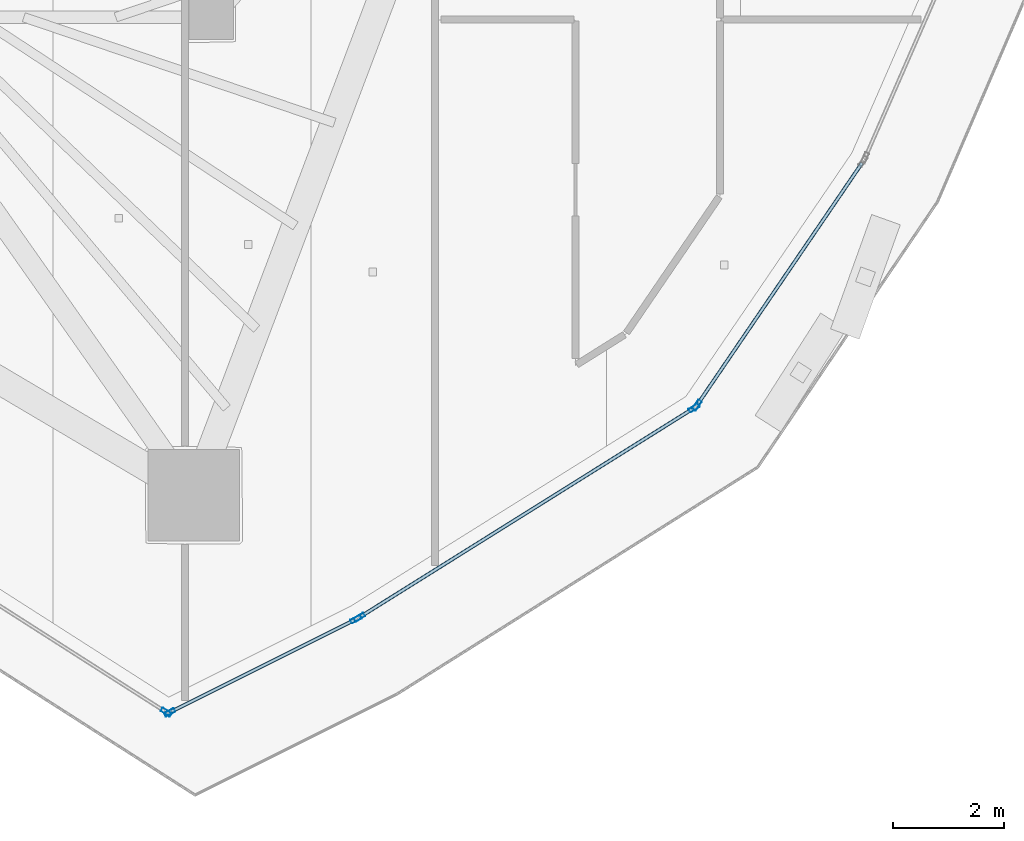
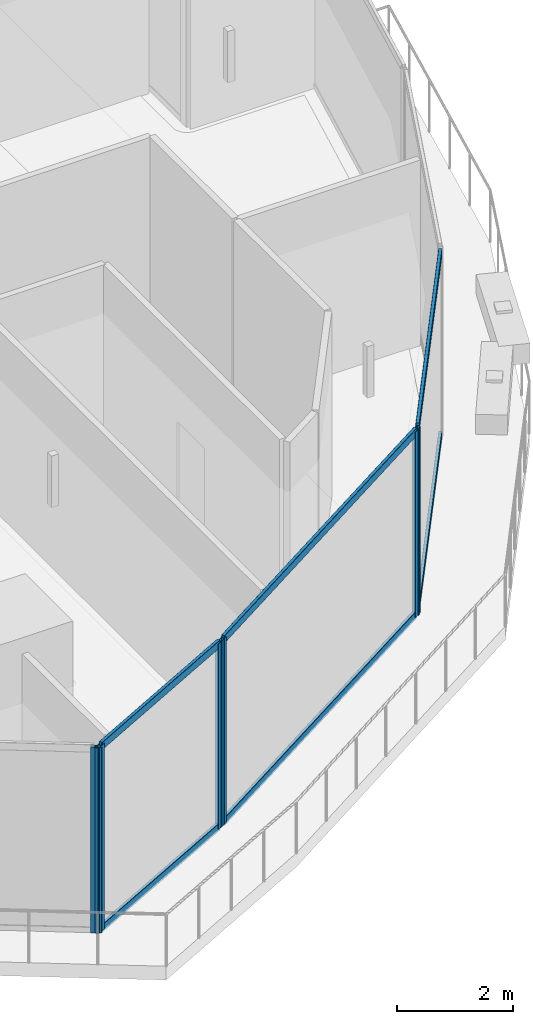
# One storey, part 10 of 36: 12 members, 4 elements without a shape of their own.
"""IFC4 building model written with IfcOpenShell, lengths in metres."""

import ifcopenshell
import ifcopenshell.guid

model = None  # the IFC model being written
_history = None  # IfcOwnerHistory: only IFC2X3 demands one
_inside = {}  # id of a spatial element -> (the spatial element, [elements in it])
_under = {}  # id of a project, library or spatial element -> (it, [spatial elements below it])
_declared = {}  # id of a project -> (the project, [libraries it declares])
_typed = {}  # id of a type object -> (the type object, [elements of that type])
_made_of = {}  # id of a material, layer set ... -> (it, [elements and type objects made of it])


def new_model(schema):
    """Start an empty IFC model of exactly this schema.

    Asked for "IFC4X3", IfcOpenShell would pick the latest addendum, in which some entities
    have other attributes; the version numbers below select the first issue.
    IFC2X3 requires an IfcOwnerHistory on every rooted entity: one is made here for all.
    """
    global model, _history
    if schema == "IFC4X3":
        model = ifcopenshell.file(schema_version=(4, 3, 0, 0))
    else:
        model = ifcopenshell.file(schema=schema)
    _inside.clear()
    _under.clear()
    _declared.clear()
    _typed.clear()
    _made_of.clear()
    _history = None
    if model.schema == "IFC2X3":
        org = make("IfcOrganization", Name="unknown")
        user = make(
            "IfcPersonAndOrganization",
            ThePerson=make("IfcPerson", FamilyName="unknown"),
            TheOrganization=org,
        )
        app = make(
            "IfcApplication",
            ApplicationDeveloper=org,
            Version="unknown",
            ApplicationFullName="unknown",
            ApplicationIdentifier="unknown",
        )
        _history = make(
            "IfcOwnerHistory",
            OwningUser=user,
            OwningApplication=app,
            ChangeAction="ADDED",
            CreationDate=0,
        )
    return model


def make(cls, **values):
    """One entity of the class cls with the attributes given. An attribute that is None is left unset."""
    return model.create_entity(
        cls, **{name: value for name, value in values.items() if value is not None}
    )


def rooted(cls, **values):
    """An entity with a GlobalId (a new one), such as an element, a storey or a relation."""
    return make(cls, GlobalId=ifcopenshell.guid.new(), OwnerHistory=_history, **values)


def si_unit(unit_type, name, prefix=None):
    """IfcSIUnit, for example si_unit("LENGTHUNIT", "METRE", prefix="MILLI")."""
    return make("IfcSIUnit", UnitType=unit_type, Prefix=prefix, Name=name)


def assignment(units):
    """IfcUnitAssignment: the units of a project."""
    return None if units is None else make("IfcUnitAssignment", Units=units)


def point(xyz):
    """IfcCartesianPoint."""
    return None if xyz is None else make("IfcCartesianPoint", Coordinates=xyz)


def direction(xyz):
    """IfcDirection."""
    return None if xyz is None else make("IfcDirection", DirectionRatios=xyz)


def frame(location, z_axis=None, x_axis=None):
    """IfcAxis2Placement3D, a coordinate frame: its origin and axes. An axis left out is left unset."""
    return make(
        "IfcAxis2Placement3D",
        Location=point(location),
        Axis=direction(z_axis),
        RefDirection=direction(x_axis),
    )


def frame_2d(location, x_axis=None):
    """IfcAxis2Placement2D, a coordinate frame in the plane: its origin and x axis."""
    return make(
        "IfcAxis2Placement2D", Location=point(location), RefDirection=direction(x_axis)
    )


def origin():
    """The frame at (0, 0, 0) with its axes left unset."""
    return frame((0.0, 0.0, 0.0))


def origin_2d():
    """The frame at (0, 0) in the plane with its x axis left unset."""
    return frame_2d((0.0, 0.0))


def place(relative_to, where):
    """IfcLocalPlacement: puts the frame where relative to a parent placement (None: the world)."""
    return make(
        "IfcLocalPlacement", PlacementRelTo=relative_to, RelativePlacement=where
    )


def context(
    kind, dimensions, precision=None, world=None, true_north=None, identifier=None
):
    """IfcGeometricRepresentationContext, for example the 3D "Model" context."""
    return make(
        "IfcGeometricRepresentationContext",
        ContextIdentifier=identifier,
        ContextType=kind,
        CoordinateSpaceDimension=dimensions,
        Precision=precision,
        WorldCoordinateSystem=world,
        TrueNorth=true_north,
    )


def subcontext(parent, identifier, kind, view, scale=None):
    """IfcGeometricRepresentationSubContext, for example "Body" below "Model"."""
    return make(
        "IfcGeometricRepresentationSubContext",
        ContextIdentifier=identifier,
        ContextType=kind,
        ParentContext=parent,
        TargetScale=scale,
        TargetView=view,
    )


def project(units=None, contexts=None):
    """IfcProject with its units and contexts."""
    return rooted(
        "IfcProject",
        Name="project",
        RepresentationContexts=contexts,
        UnitsInContext=assignment(units),
    )


def spatial(cls, under=None, at=None, **own):
    """A site, building, storey or space (cls), placed at a placement, below another one or the project."""
    s = rooted(cls, ObjectPlacement=at, **own)
    if under is not None:
        _under.setdefault(under.id(), (under, []))[1].append(s)
    return s


def profile(cls, at=None, kind="AREA", **sizes):
    """A parametric profile (cls). Its sizes go by their IFC names, for example OverallWidth=200.0."""
    return make(cls, ProfileType=kind, Position=at, **sizes)


def hollow_rectangle(**sizes):
    """IfcRectangleHollowProfileDef."""
    return profile("IfcRectangleHollowProfileDef", **sizes)


def extrude(swept, where, along, depth):
    """IfcExtrudedAreaSolid: the profile swept, set in the frame where, extruded along a direction by depth."""
    return make(
        "IfcExtrudedAreaSolid",
        SweptArea=swept,
        Position=where,
        ExtrudedDirection=direction(along),
        Depth=depth,
    )


def shape(context_of_items, identifier, shape_type, items):
    """IfcShapeRepresentation: the items that make up one representation, for example the "Body"."""
    return make(
        "IfcShapeRepresentation",
        ContextOfItems=context_of_items,
        RepresentationIdentifier=identifier,
        RepresentationType=shape_type,
        Items=items,
    )


def material(Name=None, Category=None):
    """IfcMaterial."""
    return make("IfcMaterial", Name=Name, Category=Category)


def layer(
    of_material, thickness, ventilated=None, Name=None, Category=None, Priority=None
):
    """IfcMaterialLayer: one layer of a wall or slab, of a material (None: an air gap)."""
    return make(
        "IfcMaterialLayer",
        Material=of_material,
        LayerThickness=thickness,
        IsVentilated=ventilated,
        Name=Name,
        Category=Category,
        Priority=Priority,
    )


def layer_set(layers, Name=None):
    """IfcMaterialLayerSet."""
    return make("IfcMaterialLayerSet", MaterialLayers=layers, LayerSetName=Name)


def material_profile(
    of_material, cross_section, Name=None, Category=None, Priority=None
):
    """IfcMaterialProfile: a cross section and its material."""
    return make(
        "IfcMaterialProfile",
        Name=Name,
        Material=of_material,
        Profile=cross_section,
        Priority=Priority,
        Category=Category,
    )


def profile_set(profiles, Name=None, composite=None):
    """IfcMaterialProfileSet."""
    return make(
        "IfcMaterialProfileSet",
        Name=Name,
        MaterialProfiles=profiles,
        CompositeProfile=composite,
    )


def made_of(thing, what):
    """Note that an element or type object is made of a material, layer set ...; save() writes the relation."""
    if what is not None:
        _made_of.setdefault(what.id(), (what, []))[1].append(thing)
    return thing


def type_object(cls, material=None, **own):
    """A type object (cls), such as IfcWallType, which elements share."""
    return made_of(rooted(cls, **own), material)


def element(
    cls,
    number,
    at=None,
    inside=None,
    cuts=None,
    type_object=None,
    material=None,
    context=None,
    identifier="Body",
    shape_type=None,
    held_by="IfcProductDefinitionShape",
    body=None,
    shapes=None,
    **own,
):
    """One element of the class cls, such as IfcWall. Its Tag is "e" and its number.

    at: its placement. inside: the storey or other place that contains it. cuts: it is an
    opening in that element (IfcRelVoidsElement). A single representation is given by context,
    identifier, shape_type and body (its items); several are given by shapes. held_by: the class
    of the entity that holds the representations. save() writes the other relations.
    """
    e = rooted(cls, Tag="e%d" % number, ObjectPlacement=at, **own)
    if body is not None:
        shapes = [shape(context, identifier, shape_type, body)]
    if shapes is not None:
        e.Representation = make(held_by, Representations=shapes)
    if inside is not None:
        _inside.setdefault(inside.id(), (inside, []))[1].append(e)
    if cuts is not None:
        rooted(
            "IfcRelVoidsElement", RelatingBuildingElement=cuts, RelatedOpeningElement=e
        )
    if type_object is not None:
        _typed.setdefault(type_object.id(), (type_object, []))[1].append(e)
    return made_of(e, material)


def aggregate(whole, parts):
    """IfcRelAggregates: a whole, such as a stair, and the parts it consists of."""
    return rooted("IfcRelAggregates", RelatingObject=whole, RelatedObjects=parts)


def save(model, path):
    """Write the relations noted so far, then the file.

    IfcRelAggregates (storeys below a building ...), IfcRelContainedInSpatialStructure (elements
    in a storey), IfcRelDefinesByType, IfcRelAssociatesMaterial and IfcRelDeclares: one each for
    every whole, place, type object, material and project.
    """
    for whole, parts in _under.values():
        aggregate(whole, parts)
    for where, things in _inside.values():
        rooted(
            "IfcRelContainedInSpatialStructure",
            RelatedElements=things,
            RelatingStructure=where,
        )
    for kind, things in _typed.values():
        rooted("IfcRelDefinesByType", RelatedObjects=things, RelatingType=kind)
    for what, things in _made_of.values():
        rooted("IfcRelAssociatesMaterial", RelatedObjects=things, RelatingMaterial=what)
    for by, libraries in _declared.values():
        rooted("IfcRelDeclares", RelatingContext=by, RelatedDefinitions=libraries)
    model.write(path)


model = new_model("IFC4")

# Units and contexts
model_context = context("Model", 3, precision=1e-05, world=origin(), true_north=direction((0.0, 1.0)))
body_context = subcontext(model_context, "Body", "Model", "MODEL_VIEW")
ifc_project = project(units=[si_unit("LENGTHUNIT", "METRE"), si_unit("AREAUNIT", "SQUARE_METRE"), si_unit("VOLUMEUNIT", "CUBIC_METRE"), si_unit("PLANEANGLEUNIT", "RADIAN"), si_unit("MASSUNIT", "GRAM", prefix="KILO")], contexts=[model_context])

# Site, building, storey
site_placement = place(None, origin())
site = spatial("IfcSite", under=ifc_project, at=site_placement, CompositionType="ELEMENT")
building_placement = place(site_placement, origin())
building = spatial("IfcBuilding", under=site, at=building_placement, Name="Qorvath Tower", CompositionType="ELEMENT")
storey_placement = place(building_placement, frame((0.0, 0.0, 272.39990234375)))
storey = spatial("IfcBuildingStorey", under=building, at=storey_placement, Name="L63", CompositionType="ELEMENT", Elevation=272.39990234375)

# Curtain wall, member
ifc_material_1 = material(Name="Anodised aluminium and triple low-E glass", Category="aluminium")
ifc_layer = layer(ifc_material_1, 0.179931640625)
ifc_layer_set = layer_set([ifc_layer], Name="CW-SYS-4")
curtain_wall_type = type_object("IfcCurtainWallType", Name="CW-SYS-4", PredefinedType="NOTDEFINED", material=ifc_layer_set)
curtain_wall_1_placement = place(storey_placement, origin())
curtain_wall_1 = element("IfcCurtainWall", 1, at=curtain_wall_1_placement, inside=storey, type_object=curtain_wall_type, Name="Curtain Wall CW-4 CW-T-L63-2.1", PredefinedType="NOTDEFINED")
ifc_material_2 = material(Name="Anodised aluminium 6063-T6", Category="aluminium")
ifc_material_profile_1 = material_profile(ifc_material_2, hollow_rectangle(XDim=0.074951171875, YDim=0.199951171875, WallThickness=0.00390625, InnerFilletRadius=0.00390625, OuterFilletRadius=0.008056640625, at=origin_2d()), Name="CWM 200x75")
ifc_profile_set_1 = profile_set([ifc_material_profile_1], Name="Anodised aluminium 6063-T6")
member_type_1 = type_object("IfcMemberType", Name="CWM-200", PredefinedType="MULLION", material=ifc_profile_set_1)
member_1_placement = place(storey_placement, frame((-18.015625, -24.027099609375, 0.0), z_axis=(0.0, 0.0, 1.0), x_axis=(0.538533509281, 0.842604094093, 0.0)))
member_1 = element("IfcMember", 2, at=member_1_placement, type_object=member_type_1, Name="CW-4 mullion 8", PredefinedType="MULLION", context=body_context, shape_type="SweptSolid", body=[
    extrude(hollow_rectangle(XDim=0.074951171875, YDim=0.199951171875, WallThickness=0.00390625, InnerFilletRadius=0.00390625, OuterFilletRadius=0.008056640625, at=origin_2d()), origin(), (0.0, 0.0, 1.0), 3.91015625),
])
aggregate(curtain_wall_1, [member_1])

# Curtain wall, members
curtain_wall_2_placement = place(storey_placement, origin())
curtain_wall_2 = element("IfcCurtainWall", 3, at=curtain_wall_2_placement, inside=storey, type_object=curtain_wall_type, Name="Curtain Wall CW-4 CW-T-L63-3.1", PredefinedType="NOTDEFINED")
member_2_placement = place(storey_placement, frame((-17.950439453125, -24.030517578125, 0.0), z_axis=(0.0, 0.0, 1.0), x_axis=(-0.447244838324, 0.894411568906, 0.0)))
member_2 = element("IfcMember", 4, at=member_2_placement, type_object=member_type_1, Name="CW-4 mullion 1", PredefinedType="MULLION", context=body_context, shape_type="SweptSolid", body=[
    extrude(hollow_rectangle(XDim=0.074951171875, YDim=0.199951171875, WallThickness=0.00390625, InnerFilletRadius=0.00390625, OuterFilletRadius=0.008056640625, at=origin_2d()), origin(), (0.0, 0.0, 1.0), 3.91015625),
])
member_3_placement = place(storey_placement, frame((-14.582275390625, -22.346435546875, 0.0), z_axis=(0.0, 0.0, 1.0), x_axis=(-0.447244838324, 0.894411568906, 0.0)))
member_3 = element("IfcMember", 5, at=member_3_placement, type_object=member_type_1, Name="CW-4 mullion 2", PredefinedType="MULLION", context=body_context, shape_type="SweptSolid", body=[
    extrude(hollow_rectangle(XDim=0.074951171875, YDim=0.199951171875, WallThickness=0.00390625, InnerFilletRadius=0.00390625, OuterFilletRadius=0.008056640625, at=origin_2d()), origin(), (0.0, 0.0, 1.0), 3.91015625),
])

curtain_wall_3_placement = place(storey_placement, origin())
curtain_wall_3 = element("IfcCurtainWall", 6, at=curtain_wall_3_placement, inside=storey, type_object=curtain_wall_type, Name="Curtain Wall CW-4 CW-T-L63-4.1", PredefinedType="NOTDEFINED")
member_4_placement = place(storey_placement, frame((-14.51708984375, -22.309814453125, 0.0), z_axis=(0.0, 0.0, 1.0), x_axis=(-0.530362503391, 0.84777096848, 0.0)))
member_4 = element("IfcMember", 7, at=member_4_placement, type_object=member_type_1, Name="CW-4 mullion 1", PredefinedType="MULLION", context=body_context, shape_type="SweptSolid", body=[
    extrude(hollow_rectangle(XDim=0.074951171875, YDim=0.199951171875, WallThickness=0.00390625, InnerFilletRadius=0.00390625, OuterFilletRadius=0.008056640625, at=origin_2d()), origin(), (0.0, 0.0, 1.0), 3.91015625),
])
member_5_placement = place(storey_placement, frame((-8.4609375, -18.52099609375, 0.0), z_axis=(0.0, 0.0, 1.0), x_axis=(-0.530362503391, 0.84777096848, 0.0)))
member_5 = element("IfcMember", 8, at=member_5_placement, type_object=member_type_1, Name="CW-4 mullion 2", PredefinedType="MULLION", context=body_context, shape_type="SweptSolid", body=[
    extrude(hollow_rectangle(XDim=0.074951171875, YDim=0.199951171875, WallThickness=0.00390625, InnerFilletRadius=0.00390625, OuterFilletRadius=0.008056640625, at=origin_2d()), origin(), (0.0, 0.0, 1.0), 3.91015625),
])

# Curtain wall, member
curtain_wall_4_placement = place(storey_placement, origin())
curtain_wall_4 = element("IfcCurtainWall", 9, at=curtain_wall_4_placement, inside=storey, type_object=curtain_wall_type, Name="Curtain Wall CW-4 CW-T-L63-5.1", PredefinedType="NOTDEFINED")
member_6_placement = place(storey_placement, frame((-8.407958984375, -18.47021484375, 0.0), z_axis=(0.0, 0.0, 1.0), x_axis=(-0.826318799643, 0.56320266455, 0.0)))
member_6 = element("IfcMember", 10, at=member_6_placement, type_object=member_type_1, Name="CW-4 mullion 1", PredefinedType="MULLION", context=body_context, shape_type="SweptSolid", body=[
    extrude(hollow_rectangle(XDim=0.074951171875, YDim=0.199951171875, WallThickness=0.00390625, InnerFilletRadius=0.00390625, OuterFilletRadius=0.008056640625, at=origin_2d()), origin(), (0.0, 0.0, 1.0), 3.91015625),
])

# Member
ifc_material_3 = material(Name="Anodised aluminium 6063-T6", Category="aluminium")
ifc_material_profile_2 = material_profile(ifc_material_3, hollow_rectangle(XDim=0.06494140625, YDim=0.159912109375, WallThickness=0.00341796875, InnerFilletRadius=0.00341796875, OuterFilletRadius=0.007080078125, at=origin_2d()), Name="CWT 160x65")
ifc_profile_set_2 = profile_set([ifc_material_profile_2], Name="Anodised aluminium 6063-T6")
member_type_2 = type_object("IfcMemberType", Name="CWT-160", PredefinedType="USERDEFINED", material=ifc_profile_set_2)
member_7_placement = place(storey_placement, frame((-17.9169921875, -24.013916015625, 0.032470703125), z_axis=(0.89438749866, 0.447292971373, 0.0), x_axis=(-0.447292971373, 0.89438749866, 0.0)))
member_7 = element("IfcMember", 11, at=member_7_placement, type_object=member_type_2, Name="CW-4 transom 1.1", ObjectType="TRANSOM", PredefinedType="USERDEFINED", context=body_context, shape_type="SweptSolid", body=[
    extrude(hollow_rectangle(XDim=0.06494140625, YDim=0.159912109375, WallThickness=0.00341796875, InnerFilletRadius=0.00341796875, OuterFilletRadius=0.007080078125, at=origin_2d()), origin(), (0.0, 0.0, 1.0), 3.69091796875),
])

member_8_placement = place(storey_placement, frame((-17.9169921875, -24.013916015625, 3.877685546875), z_axis=(0.89438749866, 0.447292971373, 0.0), x_axis=(-0.447292971373, 0.89438749866, 0.0)))
member_8 = element("IfcMember", 12, at=member_8_placement, type_object=member_type_2, Name="CW-4 transom 1.2", ObjectType="TRANSOM", PredefinedType="USERDEFINED", context=body_context, shape_type="SweptSolid", body=[
    extrude(hollow_rectangle(XDim=0.06494140625, YDim=0.159912109375, WallThickness=0.00341796875, InnerFilletRadius=0.00341796875, OuterFilletRadius=0.007080078125, at=origin_2d()), origin(), (0.0, 0.0, 1.0), 3.69091796875),
])

aggregate(curtain_wall_2, [member_2, member_3, member_7, member_8])

member_9_placement = place(storey_placement, frame((-14.485107421875, -22.289794921875, 0.032470703125), z_axis=(0.847775079583, 0.53035593184, 0.0), x_axis=(-0.53035593184, 0.847775079583, 0.0)))
member_9 = element("IfcMember", 13, at=member_9_placement, type_object=member_type_2, Name="CW-4 transom 1.1", ObjectType="TRANSOM", PredefinedType="USERDEFINED", context=body_context, shape_type="SweptSolid", body=[
    extrude(hollow_rectangle(XDim=0.06494140625, YDim=0.159912109375, WallThickness=0.00341796875, InnerFilletRadius=0.00341796875, OuterFilletRadius=0.007080078125, at=origin_2d()), origin(), (0.0, 0.0, 1.0), 7.068359375),
])

member_10_placement = place(storey_placement, frame((-14.485107421875, -22.289794921875, 3.877685546875), z_axis=(0.847775079583, 0.53035593184, 0.0), x_axis=(-0.53035593184, 0.847775079583, 0.0)))
member_10 = element("IfcMember", 14, at=member_10_placement, type_object=member_type_2, Name="CW-4 transom 1.2", ObjectType="TRANSOM", PredefinedType="USERDEFINED", context=body_context, shape_type="SweptSolid", body=[
    extrude(hollow_rectangle(XDim=0.06494140625, YDim=0.159912109375, WallThickness=0.00341796875, InnerFilletRadius=0.00341796875, OuterFilletRadius=0.007080078125, at=origin_2d()), origin(), (0.0, 0.0, 1.0), 7.068359375),
])

aggregate(curtain_wall_3, [member_4, member_5, member_9, member_10])

member_11_placement = place(storey_placement, frame((-8.386962890625, -18.439208984375, 0.032470703125), z_axis=(0.563214455362, 0.826310763134, 0.0), x_axis=(-0.826310763134, 0.563214455362, 0.0)))
member_11 = element("IfcMember", 15, at=member_11_placement, type_object=member_type_2, Name="CW-4 transom 1.1", ObjectType="TRANSOM", PredefinedType="USERDEFINED", context=body_context, shape_type="SweptSolid", body=[
    extrude(hollow_rectangle(XDim=0.06494140625, YDim=0.159912109375, WallThickness=0.00341796875, InnerFilletRadius=0.00341796875, OuterFilletRadius=0.007080078125, at=origin_2d()), origin(), (0.0, 0.0, 1.0), 5.262451171875),
])

member_12_placement = place(storey_placement, frame((-8.386962890625, -18.439208984375, 3.877685546875), z_axis=(0.563214455362, 0.826310763134, 0.0), x_axis=(-0.826310763134, 0.563214455362, 0.0)))
member_12 = element("IfcMember", 16, at=member_12_placement, type_object=member_type_2, Name="CW-4 transom 1.2", ObjectType="TRANSOM", PredefinedType="USERDEFINED", context=body_context, shape_type="SweptSolid", body=[
    extrude(hollow_rectangle(XDim=0.06494140625, YDim=0.159912109375, WallThickness=0.00341796875, InnerFilletRadius=0.00341796875, OuterFilletRadius=0.007080078125, at=origin_2d()), origin(), (0.0, 0.0, 1.0), 5.262451171875),
])

aggregate(curtain_wall_4, [member_6, member_11, member_12])

save(model, "model.ifc")
